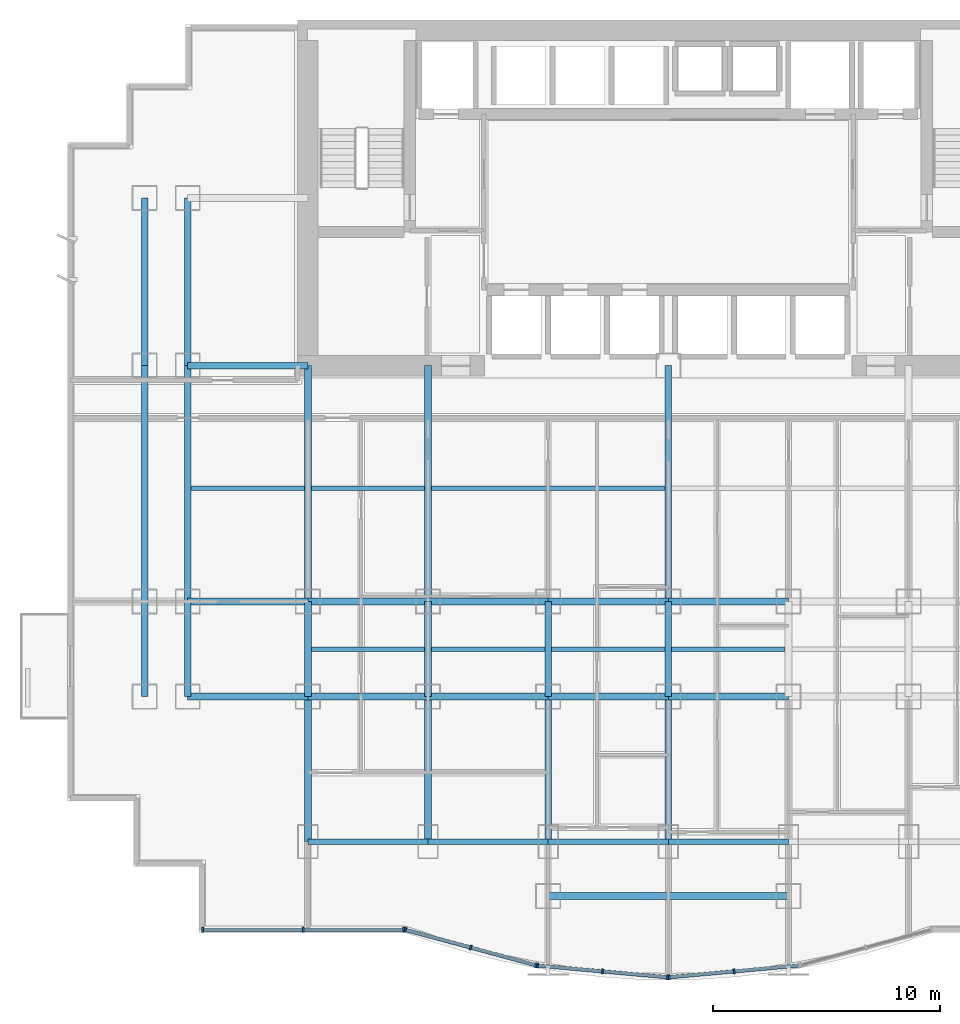
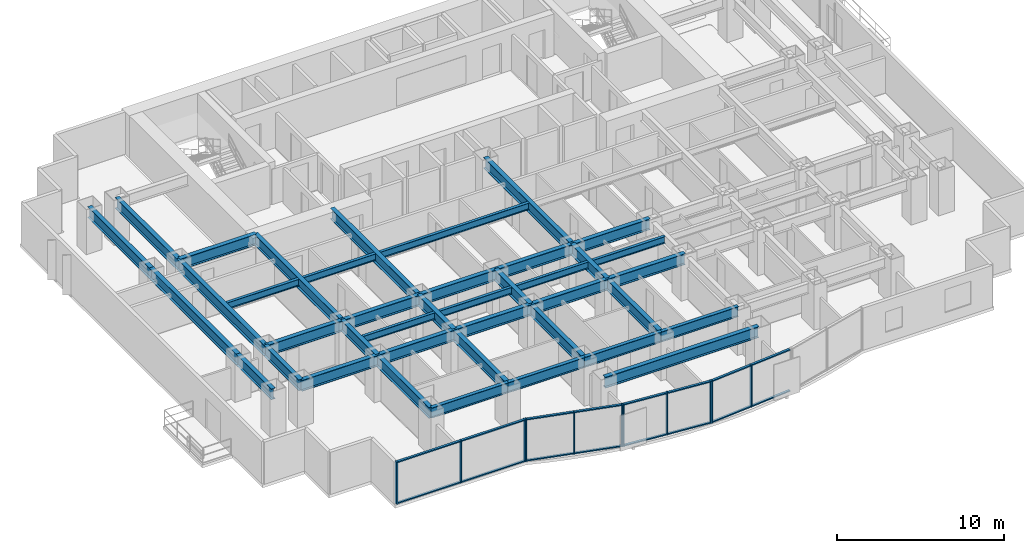
# One storey, part 2 of 10: 40 beams, 27 members, 4 elements without a shape of their own.
"""IFC4 building model written with IfcOpenShell, lengths in metres."""

from ifc_helpers import new_model, si_unit, direction, frame, origin, origin_2d, place, context, subcontext, project, spatial, rectangle, i_section, extrude, source, transform, mapped, material, layer, layer_set, material_profile, profile_set, type_object, element, aggregate, save


model = new_model("IFC4")

# Units and contexts
model_context = context("Model", 3, precision=1e-05, world=origin(), true_north=direction((0.0, 1.0)))
body_context = subcontext(model_context, "Body", "Model", "MODEL_VIEW")
ifc_project = project(units=[si_unit("LENGTHUNIT", "METRE"), si_unit("AREAUNIT", "SQUARE_METRE"), si_unit("VOLUMEUNIT", "CUBIC_METRE"), si_unit("PLANEANGLEUNIT", "RADIAN"), si_unit("MASSUNIT", "GRAM", prefix="KILO")], contexts=[model_context])

# Site, building, storey
site_placement = place(None, origin())
site = spatial("IfcSite", under=ifc_project, at=site_placement, CompositionType="ELEMENT")
building_placement = place(site_placement, origin())
building = spatial("IfcBuilding", under=site, at=building_placement, Name="Qianlan Lanfeng Residences", CompositionType="ELEMENT")
storey_placement = place(building_placement, frame((0.0, 0.0, 57.199951171875)))
storey = spatial("IfcBuildingStorey", under=building, at=storey_placement, Name="L15", CompositionType="ELEMENT", Elevation=57.199951171875)

# Beams
ifc_material_1 = material(Name="Steel SN490B", Category="steel")
ifc_material_profile_1 = material_profile(ifc_material_1, i_section(OverallWidth=0.300048828125, OverallDepth=0.800048828125, WebThickness=0.01611328125, FlangeThickness=0.028076171875, at=origin_2d()), Name="H 800x300x16x28")
ifc_profile_set_1 = profile_set([ifc_material_profile_1], Name="Steel SN490B")
beam_type_1 = type_object("IfcBeamType", Name="G-950", PredefinedType="BEAM", material=ifc_profile_set_1)
beam_1_placement = place(storey_placement, frame((21.199951171875, 1.800048828125, 2.679931640625), z_axis=(1.0, 0.0, 0.0), x_axis=(0.0, 1.0, 0.0)))
element("IfcBeam", 1, at=beam_1_placement, inside=storey, type_object=beam_type_1, Name="Structural beam G-950", PredefinedType="BEAM", context=body_context, shape_type="SweptSolid", body=[
    extrude(i_section(OverallWidth=0.300048828125, OverallDepth=0.800048828125, WebThickness=0.01611328125, FlangeThickness=0.028076171875, at=origin_2d()), origin(), (0.0, 0.0, 1.0), 10.60009765625),
])
beam_2_placement = place(storey_placement, frame((5.300048828125, 10.60009765625, 2.679931640625), z_axis=(1.0, 0.0, 0.0), x_axis=(0.0, 1.0, 0.0)))
element("IfcBeam", 2, at=beam_2_placement, inside=storey, type_object=beam_type_1, Name="Structural beam G-950", PredefinedType="BEAM", context=body_context, shape_type="SweptSolid", body=[
    extrude(i_section(OverallWidth=0.300048828125, OverallDepth=0.800048828125, WebThickness=0.01611328125, FlangeThickness=0.028076171875, at=origin_2d()), origin(), (0.0, 0.0, 1.0), 5.300048828125),
])
beam_3_placement = place(storey_placement, frame((10.60009765625, 10.60009765625, 2.679931640625), z_axis=(1.0, 0.0, 0.0), x_axis=(0.0, 1.0, 0.0)))
element("IfcBeam", 3, at=beam_3_placement, inside=storey, type_object=beam_type_1, Name="Structural beam G-950", PredefinedType="BEAM", context=body_context, shape_type="SweptSolid", body=[
    extrude(i_section(OverallWidth=0.300048828125, OverallDepth=0.800048828125, WebThickness=0.01611328125, FlangeThickness=0.028076171875, at=origin_2d()), origin(), (0.0, 0.0, 1.0), 5.2998046875),
])
for number, where, z_axis, x_axis, name in (
    (4, (15.89990234375, 10.60009765625, 2.679931640625), (1.0, 0.0, 0.0), (0.0, 1.0, 0.0), "Structural beam G-950"),
    (5, (21.199951171875, 10.60009765625, 2.679931640625), (1.0, 0.0, 0.0), (0.0, 1.0, 0.0), "Structural beam G-950"),
    (6, (26.5, 10.60009765625, 2.679931640625), (1.0, 0.0, 0.0), (0.0, 1.0, 0.0), "Structural beam G-950"),
    (7, (5.300048828125, 14.800048828125, 2.679931640625), (1.0, 0.0, 0.0), (0.0, 1.0, 0.0), "Structural beam G-950"),
):
    element("IfcBeam", number, at=place(storey_placement, frame(where, z_axis=z_axis, x_axis=x_axis)), inside=storey, type_object=beam_type_1, Name=name, PredefinedType="BEAM", context=body_context, shape_type="SweptSolid", body=[
        extrude(i_section(OverallWidth=0.300048828125, OverallDepth=0.800048828125, WebThickness=0.01611328125, FlangeThickness=0.028076171875, at=origin_2d()), origin(), (0.0, 0.0, 1.0), 5.300048828125),
    ])
beam_4_placement = place(storey_placement, frame((10.60009765625, 14.800048828125, 2.679931640625), z_axis=(1.0, 0.0, 0.0), x_axis=(0.0, 1.0, 0.0)))
element("IfcBeam", 8, at=beam_4_placement, inside=storey, type_object=beam_type_1, Name="Structural beam G-950", PredefinedType="BEAM", context=body_context, shape_type="SweptSolid", body=[
    extrude(i_section(OverallWidth=0.300048828125, OverallDepth=0.800048828125, WebThickness=0.01611328125, FlangeThickness=0.028076171875, at=origin_2d()), origin(), (0.0, 0.0, 1.0), 5.2998046875),
])
for number, where, z_axis, x_axis, name in (
    (9, (15.89990234375, 14.800048828125, 2.679931640625), (1.0, 0.0, 0.0), (0.0, 1.0, 0.0), "Structural beam G-950"),
    (10, (21.199951171875, 14.800048828125, 2.679931640625), (1.0, 0.0, 0.0), (0.0, 1.0, 0.0), "Structural beam G-950"),
    (11, (26.5, 14.800048828125, 2.679931640625), (1.0, 0.0, 0.0), (0.0, 1.0, 0.0), "Structural beam G-950"),
    (12, (5.300048828125, 25.199951171875, 2.679931640625), (1.0, 0.0, 0.0), (0.0, 1.0, 0.0), "Structural beam G-950"),
):
    element("IfcBeam", number, at=place(storey_placement, frame(where, z_axis=z_axis, x_axis=x_axis)), inside=storey, type_object=beam_type_1, Name=name, PredefinedType="BEAM", context=body_context, shape_type="SweptSolid", body=[
        extrude(i_section(OverallWidth=0.300048828125, OverallDepth=0.800048828125, WebThickness=0.01611328125, FlangeThickness=0.028076171875, at=origin_2d()), origin(), (0.0, 0.0, 1.0), 5.300048828125),
    ])
beam_5_placement = place(storey_placement, frame((3.39990234375, 10.60009765625, 2.679931640625), z_axis=(0.0, 1.0, 0.0), x_axis=(-1.0, 0.0, 0.0)))
element("IfcBeam", 13, at=beam_5_placement, inside=storey, type_object=beam_type_1, Name="Structural beam G-950", PredefinedType="BEAM", context=body_context, shape_type="SweptSolid", body=[
    extrude(i_section(OverallWidth=0.300048828125, OverallDepth=0.800048828125, WebThickness=0.01611328125, FlangeThickness=0.028076171875, at=origin_2d()), origin(), (0.0, 0.0, 1.0), 4.199951171875),
])
beam_6_placement = place(storey_placement, frame((3.39990234375, 14.800048828125, 2.679931640625), z_axis=(0.0, 1.0, 0.0), x_axis=(-1.0, 0.0, 0.0)))
element("IfcBeam", 14, at=beam_6_placement, inside=storey, type_object=beam_type_1, Name="Structural beam G-950", PredefinedType="BEAM", context=body_context, shape_type="SweptSolid", body=[
    extrude(i_section(OverallWidth=0.300048828125, OverallDepth=0.800048828125, WebThickness=0.01611328125, FlangeThickness=0.028076171875, at=origin_2d()), origin(), (0.0, 0.0, 1.0), 10.39990234375),
])
beam_7_placement = place(storey_placement, frame((3.39990234375, 25.199951171875, 2.679931640625), z_axis=(0.0, 1.0, 0.0), x_axis=(-1.0, 0.0, 0.0)))
element("IfcBeam", 15, at=beam_7_placement, inside=storey, type_object=beam_type_1, Name="Structural beam G-950", PredefinedType="BEAM", context=body_context, shape_type="SweptSolid", body=[
    extrude(i_section(OverallWidth=0.300048828125, OverallDepth=0.800048828125, WebThickness=0.01611328125, FlangeThickness=0.028076171875, at=origin_2d()), origin(), (0.0, 0.0, 1.0), 7.400146484375),
])
beam_8_placement = place(storey_placement, frame((5.300048828125, 10.60009765625, 2.679931640625), z_axis=(0.0, 1.0, 0.0), x_axis=(-1.0, 0.0, 0.0)))
element("IfcBeam", 16, at=beam_8_placement, inside=storey, type_object=beam_type_1, Name="Structural beam G-950", PredefinedType="BEAM", context=body_context, shape_type="SweptSolid", body=[
    extrude(i_section(OverallWidth=0.300048828125, OverallDepth=0.800048828125, WebThickness=0.01611328125, FlangeThickness=0.028076171875, at=origin_2d()), origin(), (0.0, 0.0, 1.0), 4.199951171875),
])
beam_9_placement = place(storey_placement, frame((5.300048828125, 14.800048828125, 2.679931640625), z_axis=(0.0, 1.0, 0.0), x_axis=(-1.0, 0.0, 0.0)))
element("IfcBeam", 17, at=beam_9_placement, inside=storey, type_object=beam_type_1, Name="Structural beam G-950", PredefinedType="BEAM", context=body_context, shape_type="SweptSolid", body=[
    extrude(i_section(OverallWidth=0.300048828125, OverallDepth=0.800048828125, WebThickness=0.01611328125, FlangeThickness=0.028076171875, at=origin_2d()), origin(), (0.0, 0.0, 1.0), 10.39990234375),
])
beam_10_placement = place(storey_placement, frame((5.300048828125, 25.199951171875, 2.679931640625), z_axis=(0.0, 1.0, 0.0), x_axis=(-1.0, 0.0, 0.0)))
element("IfcBeam", 18, at=beam_10_placement, inside=storey, type_object=beam_type_1, Name="Structural beam G-950", PredefinedType="BEAM", context=body_context, shape_type="SweptSolid", body=[
    extrude(i_section(OverallWidth=0.300048828125, OverallDepth=0.800048828125, WebThickness=0.01611328125, FlangeThickness=0.028076171875, at=origin_2d()), origin(), (0.0, 0.0, 1.0), 7.400146484375),
])
beam_11_placement = place(storey_placement, frame((10.60009765625, 4.199951171875, 2.679931640625), z_axis=(0.0, 1.0, 0.0), x_axis=(-1.0, 0.0, 0.0)))
element("IfcBeam", 19, at=beam_11_placement, inside=storey, type_object=beam_type_1, Name="Structural beam G-950", PredefinedType="BEAM", context=body_context, shape_type="SweptSolid", body=[
    extrude(i_section(OverallWidth=0.300048828125, OverallDepth=0.800048828125, WebThickness=0.01611328125, FlangeThickness=0.028076171875, at=origin_2d()), origin(), (0.0, 0.0, 1.0), 6.400146484375),
])
beam_12_placement = place(storey_placement, frame((10.60009765625, 10.60009765625, 2.679931640625), z_axis=(0.0, 1.0, 0.0), x_axis=(-1.0, 0.0, 0.0)))
element("IfcBeam", 20, at=beam_12_placement, inside=storey, type_object=beam_type_1, Name="Structural beam G-950", PredefinedType="BEAM", context=body_context, shape_type="SweptSolid", body=[
    extrude(i_section(OverallWidth=0.300048828125, OverallDepth=0.800048828125, WebThickness=0.01611328125, FlangeThickness=0.028076171875, at=origin_2d()), origin(), (0.0, 0.0, 1.0), 4.199951171875),
])
beam_13_placement = place(storey_placement, frame((10.60009765625, 14.800048828125, 2.679931640625), z_axis=(0.0, 1.0, 0.0), x_axis=(-1.0, 0.0, 0.0)))
element("IfcBeam", 21, at=beam_13_placement, inside=storey, type_object=beam_type_1, Name="Structural beam G-950", PredefinedType="BEAM", context=body_context, shape_type="SweptSolid", body=[
    extrude(i_section(OverallWidth=0.300048828125, OverallDepth=0.800048828125, WebThickness=0.01611328125, FlangeThickness=0.028076171875, at=origin_2d()), origin(), (0.0, 0.0, 1.0), 10.39990234375),
])
beam_14_placement = place(storey_placement, frame((15.89990234375, 4.199951171875, 2.679931640625), z_axis=(0.0, 1.0, 0.0), x_axis=(-1.0, 0.0, 0.0)))
element("IfcBeam", 22, at=beam_14_placement, inside=storey, type_object=beam_type_1, Name="Structural beam G-950", PredefinedType="BEAM", context=body_context, shape_type="SweptSolid", body=[
    extrude(i_section(OverallWidth=0.300048828125, OverallDepth=0.800048828125, WebThickness=0.01611328125, FlangeThickness=0.028076171875, at=origin_2d()), origin(), (0.0, 0.0, 1.0), 6.400146484375),
])
beam_15_placement = place(storey_placement, frame((15.89990234375, 10.60009765625, 2.679931640625), z_axis=(0.0, 1.0, 0.0), x_axis=(-1.0, 0.0, 0.0)))
element("IfcBeam", 23, at=beam_15_placement, inside=storey, type_object=beam_type_1, Name="Structural beam G-950", PredefinedType="BEAM", context=body_context, shape_type="SweptSolid", body=[
    extrude(i_section(OverallWidth=0.300048828125, OverallDepth=0.800048828125, WebThickness=0.01611328125, FlangeThickness=0.028076171875, at=origin_2d()), origin(), (0.0, 0.0, 1.0), 4.199951171875),
])
beam_16_placement = place(storey_placement, frame((15.89990234375, 14.800048828125, 2.679931640625), z_axis=(0.0, 1.0, 0.0), x_axis=(-1.0, 0.0, 0.0)))
element("IfcBeam", 24, at=beam_16_placement, inside=storey, type_object=beam_type_1, Name="Structural beam G-950", PredefinedType="BEAM", context=body_context, shape_type="SweptSolid", body=[
    extrude(i_section(OverallWidth=0.300048828125, OverallDepth=0.800048828125, WebThickness=0.01611328125, FlangeThickness=0.028076171875, at=origin_2d()), origin(), (0.0, 0.0, 1.0), 10.39990234375),
])
beam_17_placement = place(storey_placement, frame((21.199951171875, 4.199951171875, 2.679931640625), z_axis=(0.0, 1.0, 0.0), x_axis=(-1.0, 0.0, 0.0)))
element("IfcBeam", 25, at=beam_17_placement, inside=storey, type_object=beam_type_1, Name="Structural beam G-950", PredefinedType="BEAM", context=body_context, shape_type="SweptSolid", body=[
    extrude(i_section(OverallWidth=0.300048828125, OverallDepth=0.800048828125, WebThickness=0.01611328125, FlangeThickness=0.028076171875, at=origin_2d()), origin(), (0.0, 0.0, 1.0), 6.400146484375),
])
beam_18_placement = place(storey_placement, frame((21.199951171875, 10.60009765625, 2.679931640625), z_axis=(0.0, 1.0, 0.0), x_axis=(-1.0, 0.0, 0.0)))
element("IfcBeam", 26, at=beam_18_placement, inside=storey, type_object=beam_type_1, Name="Structural beam G-950", PredefinedType="BEAM", context=body_context, shape_type="SweptSolid", body=[
    extrude(i_section(OverallWidth=0.300048828125, OverallDepth=0.800048828125, WebThickness=0.01611328125, FlangeThickness=0.028076171875, at=origin_2d()), origin(), (0.0, 0.0, 1.0), 4.199951171875),
])
beam_19_placement = place(storey_placement, frame((26.5, 4.199951171875, 2.679931640625), z_axis=(0.0, 1.0, 0.0), x_axis=(-1.0, 0.0, 0.0)))
element("IfcBeam", 27, at=beam_19_placement, inside=storey, type_object=beam_type_1, Name="Structural beam G-950", PredefinedType="BEAM", context=body_context, shape_type="SweptSolid", body=[
    extrude(i_section(OverallWidth=0.300048828125, OverallDepth=0.800048828125, WebThickness=0.01611328125, FlangeThickness=0.028076171875, at=origin_2d()), origin(), (0.0, 0.0, 1.0), 6.400146484375),
])
beam_20_placement = place(storey_placement, frame((26.5, 10.60009765625, 2.679931640625), z_axis=(0.0, 1.0, 0.0), x_axis=(-1.0, 0.0, 0.0)))
element("IfcBeam", 28, at=beam_20_placement, inside=storey, type_object=beam_type_1, Name="Structural beam G-950", PredefinedType="BEAM", context=body_context, shape_type="SweptSolid", body=[
    extrude(i_section(OverallWidth=0.300048828125, OverallDepth=0.800048828125, WebThickness=0.01611328125, FlangeThickness=0.028076171875, at=origin_2d()), origin(), (0.0, 0.0, 1.0), 4.199951171875),
])
beam_21_placement = place(storey_placement, frame((26.5, 14.800048828125, 2.679931640625), z_axis=(0.0, 1.0, 0.0), x_axis=(-1.0, 0.0, 0.0)))
element("IfcBeam", 29, at=beam_21_placement, inside=storey, type_object=beam_type_1, Name="Structural beam G-950", PredefinedType="BEAM", context=body_context, shape_type="SweptSolid", body=[
    extrude(i_section(OverallWidth=0.300048828125, OverallDepth=0.800048828125, WebThickness=0.01611328125, FlangeThickness=0.028076171875, at=origin_2d()), origin(), (0.0, 0.0, 1.0), 10.39990234375),
])
ifc_material_profile_2 = material_profile(ifc_material_1, i_section(OverallWidth=0.199951171875, OverallDepth=0.5, WebThickness=0.010009765625, FlangeThickness=0.01611328125, at=origin_2d()), Name="H 500x200x10x16")
ifc_profile_set_2 = profile_set([ifc_material_profile_2], Name="Steel SN490B")
beam_type_2 = type_object("IfcBeamType", Name="J-500", PredefinedType="JOIST", material=ifc_profile_set_2)
for number, where, z_axis, x_axis, name in (
    (30, (10.75, 12.699951171875, 2.830078125), (1.0, 0.0, 0.0), (0.0, 1.0, 0.0), "Structural beam J-500"),
    (31, (16.050048828125, 12.699951171875, 2.830078125), (1.0, 0.0, 0.0), (0.0, 1.0, 0.0), "Structural beam J-500"),
    (32, (21.35009765625, 12.699951171875, 2.830078125), (1.0, 0.0, 0.0), (0.0, 1.0, 0.0), "Structural beam J-500"),
    (33, (26.64990234375, 12.699951171875, 2.830078125), (1.0, 0.0, 0.0), (0.0, 1.0, 0.0), "Structural beam J-500"),
    (34, (5.449951171875, 19.800048828125, 2.830078125), (1.0, 0.0, 0.0), (0.0, 1.0, 0.0), "Structural beam J-500"),
    (35, (10.75, 19.800048828125, 2.830078125), (1.0, 0.0, 0.0), (0.0, 1.0, 0.0), "Structural beam J-500"),
):
    element("IfcBeam", number, at=place(storey_placement, frame(where, z_axis=z_axis, x_axis=x_axis)), inside=storey, type_object=beam_type_2, Name=name, PredefinedType="JOIST", context=body_context, shape_type="SweptSolid", body=[
        extrude(i_section(OverallWidth=0.199951171875, OverallDepth=0.5, WebThickness=0.010009765625, FlangeThickness=0.01611328125, at=origin_2d()), origin(), (0.0, 0.0, 1.0), 5.0),
    ])
beam_22_placement = place(storey_placement, frame((16.050048828125, 19.800048828125, 2.830078125), z_axis=(1.0, 0.0, 0.0), x_axis=(0.0, 1.0, 0.0)))
element("IfcBeam", 36, at=beam_22_placement, inside=storey, type_object=beam_type_2, Name="Structural beam J-500", PredefinedType="JOIST", context=body_context, shape_type="SweptSolid", body=[
    extrude(i_section(OverallWidth=0.199951171875, OverallDepth=0.5, WebThickness=0.010009765625, FlangeThickness=0.01611328125, at=origin_2d()), origin(), (0.0, 0.0, 1.0), 10.300048828125),
])
ifc_material_profile_3 = material_profile(ifc_material_1, i_section(OverallWidth=0.25, OverallDepth=0.75, WebThickness=0.013916015625, FlangeThickness=0.02490234375, at=origin_2d()), Name="H 750x250x14x25")
ifc_profile_set_3 = profile_set([ifc_material_profile_3], Name="Steel SN490B")
beam_type_3 = type_object("IfcBeamType", Name="SG-850", PredefinedType="SPANDREL", material=ifc_profile_set_3)
beam_23_placement = place(storey_placement, frame((10.60009765625, 4.199951171875, 2.705078125), z_axis=(1.0, 0.0, 0.0), x_axis=(0.0, 1.0, 0.0)))
element("IfcBeam", 37, at=beam_23_placement, inside=storey, type_object=beam_type_3, Name="Structural beam SG-850", PredefinedType="SPANDREL", context=body_context, shape_type="SweptSolid", body=[
    extrude(i_section(OverallWidth=0.25, OverallDepth=0.75, WebThickness=0.013916015625, FlangeThickness=0.02490234375, at=origin_2d()), origin(), (0.0, 0.0, 1.0), 5.2998046875),
])
for number, where, z_axis, x_axis, name in (
    (38, (15.89990234375, 4.199951171875, 2.705078125), (1.0, 0.0, 0.0), (0.0, 1.0, 0.0), "Structural beam SG-850"),
    (39, (21.199951171875, 4.199951171875, 2.705078125), (1.0, 0.0, 0.0), (0.0, 1.0, 0.0), "Structural beam SG-850"),
    (40, (26.5, 4.199951171875, 2.705078125), (1.0, 0.0, 0.0), (0.0, 1.0, 0.0), "Structural beam SG-850"),
):
    element("IfcBeam", number, at=place(storey_placement, frame(where, z_axis=z_axis, x_axis=x_axis)), inside=storey, type_object=beam_type_3, Name=name, PredefinedType="SPANDREL", context=body_context, shape_type="SweptSolid", body=[
        extrude(i_section(OverallWidth=0.25, OverallDepth=0.75, WebThickness=0.013916015625, FlangeThickness=0.02490234375, at=origin_2d()), origin(), (0.0, 0.0, 1.0), 5.300048828125),
    ])

# Curtain wall, members
ifc_material_2 = material(Name="Anodised Bronze Aluminium 6063-T6", Category="aluminium")
ifc_layer = layer(ifc_material_2, 0.219970703125)
ifc_layer_set = layer_set([ifc_layer], Name="Anodised Bronze Aluminium 6063-T6")
curtain_wall_type = type_object("IfcCurtainWallType", Name="CW-02", PredefinedType="NOTDEFINED", material=ifc_layer_set)
curtain_wall_1_placement = place(storey_placement, origin())
curtain_wall_1 = element("IfcCurtainWall", 41, at=curtain_wall_1_placement, inside=storey, type_object=curtain_wall_type, Name="L15 Unitised Curtain Wall CWR-L15-01 (CW-02)", PredefinedType="NOTDEFINED")
ifc_material_profile_4 = material_profile(ifc_material_2, rectangle(XDim=0.080078125, YDim=0.2099609375, at=origin_2d()), Name="ALU MULLION 80x210")
ifc_profile_set_4 = profile_set([ifc_material_profile_4], Name="Anodised Bronze Aluminium 6063-T6")
member_type_1 = type_object("IfcMemberType", Name="CWM-220", PredefinedType="MULLION", material=ifc_profile_set_4)
shared_shape_1 = source(origin(), body_context, "Body", "SweptSolid", [
    extrude(rectangle(XDim=0.080078125, YDim=0.2099609375, at=origin_2d()), origin(), (0.0, 0.0, 1.0), 3.080078125),
])
member_1_placement = place(storey_placement, frame((5.9599609375, 0.320068359375, 0.0), z_axis=(0.0, 0.0, 1.0), x_axis=(1.0, 0.0, 0.0)))
member_1 = element("IfcMember", 42, at=member_1_placement, type_object=member_type_1, Name="CWR-L15-01 Mullion 1", PredefinedType="MULLION", context=body_context, shape_type="MappedRepresentation", body=[
    mapped(shared_shape_1, transform((0.0, 0.0, 0.0), scale=1.0)),
])
member_2_placement = place(storey_placement, frame((10.39501953125, 0.320068359375, 0.0), z_axis=(0.0, 0.0, 1.0), x_axis=(1.0, 0.0, 0.0)))
member_2 = element("IfcMember", 43, at=member_2_placement, type_object=member_type_1, Name="CWR-L15-01 Mullion 2", PredefinedType="MULLION", context=body_context, shape_type="MappedRepresentation", body=[
    mapped(shared_shape_1, transform((0.0, 0.0, 0.0), scale=1.0)),
])
member_3_placement = place(storey_placement, frame((14.830078125, 0.320068359375, 0.0), z_axis=(0.0, 0.0, 1.0), x_axis=(1.0, 0.0, 0.0)))
member_3 = element("IfcMember", 44, at=member_3_placement, type_object=member_type_1, Name="CWR-L15-01 Mullion 3", PredefinedType="MULLION", context=body_context, shape_type="MappedRepresentation", body=[
    mapped(shared_shape_1, transform((0.0, 0.0, 0.0), scale=1.0)),
])

curtain_wall_2_placement = place(storey_placement, origin())
curtain_wall_2 = element("IfcCurtainWall", 45, at=curtain_wall_2_placement, inside=storey, type_object=curtain_wall_type, Name="L15 Unitised Curtain Wall CWR-L15-02 (CW-02)", PredefinedType="NOTDEFINED")
member_4_placement = place(storey_placement, frame((14.90869140625, 0.3095703125, 0.0), z_axis=(0.0, 0.0, 1.0), x_axis=(0.9652627173, -0.261281240412, 0.0)))
member_4 = element("IfcMember", 46, at=member_4_placement, type_object=member_type_1, Name="CWR-L15-02 Mullion 1", PredefinedType="MULLION", context=body_context, shape_type="MappedRepresentation", body=[
    mapped(shared_shape_1, transform((0.0, 0.0, 0.0), scale=1.0)),
])
member_5_placement = place(storey_placement, frame((17.782958984375, -0.468505859375, 0.0), z_axis=(0.0, 0.0, 1.0), x_axis=(0.9652627173, -0.261281240412, 0.0)))
member_5 = element("IfcMember", 47, at=member_5_placement, type_object=member_type_1, Name="CWR-L15-02 Mullion 2", PredefinedType="MULLION", context=body_context, shape_type="MappedRepresentation", body=[
    mapped(shared_shape_1, transform((0.0, 0.0, 0.0), scale=1.0)),
])
member_6_placement = place(storey_placement, frame((20.657470703125, -1.24658203125, 0.0), z_axis=(0.0, 0.0, 1.0), x_axis=(0.9652627173, -0.261281240412, 0.0)))
member_6 = element("IfcMember", 48, at=member_6_placement, type_object=member_type_1, Name="CWR-L15-02 Mullion 3", PredefinedType="MULLION", context=body_context, shape_type="MappedRepresentation", body=[
    mapped(shared_shape_1, transform((0.0, 0.0, 0.0), scale=1.0)),
])

curtain_wall_3_placement = place(storey_placement, origin())
curtain_wall_3 = element("IfcCurtainWall", 49, at=curtain_wall_3_placement, inside=storey, type_object=curtain_wall_type, Name="L15 Unitised Curtain Wall CWR-L15-03 (CW-02)", PredefinedType="NOTDEFINED")
member_7_placement = place(storey_placement, frame((20.73583984375, -1.260498046875, 0.0), z_axis=(0.0, 0.0, 1.0), x_axis=(0.995964677764, -0.089746089862, 0.0)))
member_7 = element("IfcMember", 50, at=member_7_placement, type_object=member_type_1, Name="CWR-L15-03 Mullion 1", PredefinedType="MULLION", context=body_context, shape_type="MappedRepresentation", body=[
    mapped(shared_shape_1, transform((0.0, 0.0, 0.0), scale=1.0)),
])
member_8_placement = place(storey_placement, frame((23.597900390625, -1.5185546875, 0.0), z_axis=(0.0, 0.0, 1.0), x_axis=(0.995964677764, -0.089746089862, 0.0)))
member_8 = element("IfcMember", 51, at=member_8_placement, type_object=member_type_1, Name="CWR-L15-03 Mullion 2", PredefinedType="MULLION", context=body_context, shape_type="MappedRepresentation", body=[
    mapped(shared_shape_1, transform((0.0, 0.0, 0.0), scale=1.0)),
])
member_9_placement = place(storey_placement, frame((26.460205078125, -1.7763671875, 0.0), z_axis=(0.0, 0.0, 1.0), x_axis=(0.995964677764, -0.089746089862, 0.0)))
member_9 = element("IfcMember", 52, at=member_9_placement, type_object=member_type_1, Name="CWR-L15-03 Mullion 3", PredefinedType="MULLION", context=body_context, shape_type="MappedRepresentation", body=[
    mapped(shared_shape_1, transform((0.0, 0.0, 0.0), scale=1.0)),
])

curtain_wall_4_placement = place(storey_placement, origin())
curtain_wall_4 = element("IfcCurtainWall", 53, at=curtain_wall_4_placement, inside=storey, type_object=curtain_wall_type, Name="L15 Unitised Curtain Wall CWR-L15-04 (CW-02)", PredefinedType="NOTDEFINED")
member_10_placement = place(storey_placement, frame((26.539794921875, -1.7763671875, 0.0), z_axis=(0.0, 0.0, 1.0), x_axis=(0.995964677764, 0.089746089862, 0.0)))
member_10 = element("IfcMember", 54, at=member_10_placement, type_object=member_type_1, Name="CWR-L15-04 Mullion 1", PredefinedType="MULLION", context=body_context, shape_type="MappedRepresentation", body=[
    mapped(shared_shape_1, transform((0.0, 0.0, 0.0), scale=1.0)),
])
member_11_placement = place(storey_placement, frame((29.402099609375, -1.5185546875, 0.0), z_axis=(0.0, 0.0, 1.0), x_axis=(0.995964677764, 0.089746089862, 0.0)))
member_11 = element("IfcMember", 55, at=member_11_placement, type_object=member_type_1, Name="CWR-L15-04 Mullion 2", PredefinedType="MULLION", context=body_context, shape_type="MappedRepresentation", body=[
    mapped(shared_shape_1, transform((0.0, 0.0, 0.0), scale=1.0)),
])

# Member
ifc_material_profile_5 = material_profile(ifc_material_2, rectangle(XDim=0.080078125, YDim=0.159912109375, at=origin_2d()), Name="ALU TRANSOM 80x160")
ifc_profile_set_5 = profile_set([ifc_material_profile_5], Name="Anodised Bronze Aluminium 6063-T6")
member_type_2 = type_object("IfcMemberType", Name="CWT-180", PredefinedType="USERDEFINED", material=ifc_profile_set_5)
shared_shape_2 = source(origin(), body_context, "Body", "SweptSolid", [
    extrude(rectangle(XDim=0.080078125, YDim=0.159912109375, at=origin_2d()), origin(), (0.0, 0.0, 1.0), 2.897705078125),
])
member_12_placement = place(storey_placement, frame((14.947265625, 0.299072265625, 0.0400390625), z_axis=(0.965267548724, -0.261263390817, 0.0), x_axis=(0.0, 0.0, 1.0)))
member_12 = element("IfcMember", 56, at=member_12_placement, type_object=member_type_2, Name="CWR-L15-02 Transom 1-BOT", ObjectType="TRANSOM", PredefinedType="USERDEFINED", context=body_context, shape_type="MappedRepresentation", body=[
    mapped(shared_shape_2, transform((0.0, 0.0, 0.0), scale=1.0)),
])

member_13_placement = place(storey_placement, frame((14.947265625, 0.299072265625, 3.0400390625), z_axis=(0.965267548724, -0.261263390817, 0.0), x_axis=(0.0, 0.0, 1.0)))
member_13 = element("IfcMember", 57, at=member_13_placement, type_object=member_type_2, Name="CWR-L15-02 Transom 1-TOP", ObjectType="TRANSOM", PredefinedType="USERDEFINED", context=body_context, shape_type="MappedRepresentation", body=[
    mapped(shared_shape_2, transform((0.0, 0.0, 0.0), scale=1.0)),
])

shared_shape_3 = source(origin(), body_context, "Body", "SweptSolid", [
    extrude(rectangle(XDim=0.080078125, YDim=0.159912109375, at=origin_2d()), origin(), (0.0, 0.0, 1.0), 2.89794921875),
])
member_14_placement = place(storey_placement, frame((17.821533203125, -0.47900390625, 0.0400390625), z_axis=(0.965273298897, -0.261242145215, 0.0), x_axis=(0.0, 0.0, 1.0)))
member_14 = element("IfcMember", 58, at=member_14_placement, type_object=member_type_2, Name="CWR-L15-02 Transom 2-BOT", ObjectType="TRANSOM", PredefinedType="USERDEFINED", context=body_context, shape_type="MappedRepresentation", body=[
    mapped(shared_shape_3, transform((0.0, 0.0, 0.0), scale=1.0)),
])

member_15_placement = place(storey_placement, frame((17.821533203125, -0.47900390625, 3.0400390625), z_axis=(0.965273298897, -0.261242145215, 0.0), x_axis=(0.0, 0.0, 1.0)))
member_15 = element("IfcMember", 59, at=member_15_placement, type_object=member_type_2, Name="CWR-L15-02 Transom 2-TOP", ObjectType="TRANSOM", PredefinedType="USERDEFINED", context=body_context, shape_type="MappedRepresentation", body=[
    mapped(shared_shape_3, transform((0.0, 0.0, 0.0), scale=1.0)),
])

aggregate(curtain_wall_2, [member_4, member_5, member_6, member_12, member_13, member_14, member_15])

shared_shape_4 = source(origin(), body_context, "Body", "SweptSolid", [
    extrude(rectangle(XDim=0.080078125, YDim=0.159912109375, at=origin_2d()), origin(), (0.0, 0.0, 1.0), 2.793701171875),
])
member_16_placement = place(storey_placement, frame((20.775634765625, -1.26416015625, 0.0400390625), z_axis=(0.995964524532, -0.089747790357, 0.0), x_axis=(0.0, 0.0, 1.0)))
member_16 = element("IfcMember", 60, at=member_16_placement, type_object=member_type_2, Name="CWR-L15-03 Transom 1-BOT", ObjectType="TRANSOM", PredefinedType="USERDEFINED", context=body_context, shape_type="MappedRepresentation", body=[
    mapped(shared_shape_4, transform((0.0, 0.0, 0.0), scale=1.0)),
])

member_17_placement = place(storey_placement, frame((20.775634765625, -1.26416015625, 3.0400390625), z_axis=(0.995964524532, -0.089747790357, 0.0), x_axis=(0.0, 0.0, 1.0)))
member_17 = element("IfcMember", 61, at=member_17_placement, type_object=member_type_2, Name="CWR-L15-03 Transom 1-TOP", ObjectType="TRANSOM", PredefinedType="USERDEFINED", context=body_context, shape_type="MappedRepresentation", body=[
    mapped(shared_shape_4, transform((0.0, 0.0, 0.0), scale=1.0)),
])

member_18_placement = place(storey_placement, frame((23.637939453125, -1.522216796875, 0.0400390625), z_axis=(0.995972332078, -0.089661104915, 0.0), x_axis=(0.0, 0.0, 1.0)))
member_18 = element("IfcMember", 62, at=member_18_placement, type_object=member_type_2, Name="CWR-L15-03 Transom 2-BOT", ObjectType="TRANSOM", PredefinedType="USERDEFINED", context=body_context, shape_type="MappedRepresentation", body=[
    mapped(shared_shape_4, transform((0.0, 0.0, 0.0), scale=1.0)),
])

member_19_placement = place(storey_placement, frame((23.637939453125, -1.522216796875, 3.0400390625), z_axis=(0.995972332078, -0.089661104915, 0.0), x_axis=(0.0, 0.0, 1.0)))
member_19 = element("IfcMember", 63, at=member_19_placement, type_object=member_type_2, Name="CWR-L15-03 Transom 2-TOP", ObjectType="TRANSOM", PredefinedType="USERDEFINED", context=body_context, shape_type="MappedRepresentation", body=[
    mapped(shared_shape_4, transform((0.0, 0.0, 0.0), scale=1.0)),
])

aggregate(curtain_wall_3, [member_7, member_8, member_9, member_16, member_17, member_18, member_19])

member_20_placement = place(storey_placement, frame((29.44189453125, -1.514892578125, 0.0400390625), z_axis=(0.995964524532, 0.089747790357, 0.0), x_axis=(0.0, 0.0, 1.0)))
member_20 = element("IfcMember", 64, at=member_20_placement, type_object=member_type_2, Name="CWR-L15-04 Transom 2-BOT", ObjectType="TRANSOM", PredefinedType="USERDEFINED", context=body_context, shape_type="MappedRepresentation", body=[
    mapped(shared_shape_4, transform((0.0, 0.0, 0.0), scale=1.0)),
])

member_21_placement = place(storey_placement, frame((29.44189453125, -1.514892578125, 3.0400390625), z_axis=(0.995964524532, 0.089747790357, 0.0), x_axis=(0.0, 0.0, 1.0)))
member_21 = element("IfcMember", 65, at=member_21_placement, type_object=member_type_2, Name="CWR-L15-04 Transom 2-TOP", ObjectType="TRANSOM", PredefinedType="USERDEFINED", context=body_context, shape_type="MappedRepresentation", body=[
    mapped(shared_shape_4, transform((0.0, 0.0, 0.0), scale=1.0)),
])

shared_shape_5 = source(origin(), body_context, "Body", "SweptSolid", [
    extrude(rectangle(XDim=0.080078125, YDim=0.159912109375, at=origin_2d()), origin(), (0.0, 0.0, 1.0), 2.7939453125),
])
member_22_placement = place(storey_placement, frame((26.57958984375, -1.772705078125, 0.0400390625), z_axis=(0.995973034517, 0.089653301756, 0.0), x_axis=(0.0, 0.0, 1.0)))
member_22 = element("IfcMember", 66, at=member_22_placement, type_object=member_type_2, Name="CWR-L15-04 Transom 1-BOT", ObjectType="TRANSOM", PredefinedType="USERDEFINED", context=body_context, shape_type="MappedRepresentation", body=[
    mapped(shared_shape_5, transform((0.0, 0.0, 0.0), scale=1.0)),
])

member_23_placement = place(storey_placement, frame((26.57958984375, -1.772705078125, 3.0400390625), z_axis=(0.995973034517, 0.089653301756, 0.0), x_axis=(0.0, 0.0, 1.0)))
member_23 = element("IfcMember", 67, at=member_23_placement, type_object=member_type_2, Name="CWR-L15-04 Transom 1-TOP", ObjectType="TRANSOM", PredefinedType="USERDEFINED", context=body_context, shape_type="MappedRepresentation", body=[
    mapped(shared_shape_5, transform((0.0, 0.0, 0.0), scale=1.0)),
])

aggregate(curtain_wall_4, [member_10, member_11, member_22, member_23, member_20, member_21])

shared_shape_6 = source(origin(), body_context, "Body", "SweptSolid", [
    extrude(rectangle(XDim=0.080078125, YDim=0.159912109375, at=origin_2d()), origin(), (0.0, 0.0, 1.0), 4.35498046875),
])
member_24_placement = place(storey_placement, frame((6.0, 0.320068359375, 0.0400390625), z_axis=(1.0, 0.0, 0.0), x_axis=(0.0, 0.0, 1.0)))
member_24 = element("IfcMember", 68, at=member_24_placement, type_object=member_type_2, Name="CWR-L15-01 Transom 1-BOT", ObjectType="TRANSOM", PredefinedType="USERDEFINED", context=body_context, shape_type="MappedRepresentation", body=[
    mapped(shared_shape_6, transform((0.0, 0.0, 0.0), scale=1.0)),
])

member_25_placement = place(storey_placement, frame((6.0, 0.320068359375, 3.0400390625), z_axis=(1.0, 0.0, 0.0), x_axis=(0.0, 0.0, 1.0)))
member_25 = element("IfcMember", 69, at=member_25_placement, type_object=member_type_2, Name="CWR-L15-01 Transom 1-TOP", ObjectType="TRANSOM", PredefinedType="USERDEFINED", context=body_context, shape_type="MappedRepresentation", body=[
    mapped(shared_shape_6, transform((0.0, 0.0, 0.0), scale=1.0)),
])

member_26_placement = place(storey_placement, frame((10.43505859375, 0.320068359375, 0.0400390625), z_axis=(1.0, 0.0, 0.0), x_axis=(0.0, 0.0, 1.0)))
member_26 = element("IfcMember", 70, at=member_26_placement, type_object=member_type_2, Name="CWR-L15-01 Transom 2-BOT", ObjectType="TRANSOM", PredefinedType="USERDEFINED", context=body_context, shape_type="MappedRepresentation", body=[
    mapped(shared_shape_6, transform((0.0, 0.0, 0.0), scale=1.0)),
])

member_27_placement = place(storey_placement, frame((10.43505859375, 0.320068359375, 3.0400390625), z_axis=(1.0, 0.0, 0.0), x_axis=(0.0, 0.0, 1.0)))
member_27 = element("IfcMember", 71, at=member_27_placement, type_object=member_type_2, Name="CWR-L15-01 Transom 2-TOP", ObjectType="TRANSOM", PredefinedType="USERDEFINED", context=body_context, shape_type="MappedRepresentation", body=[
    mapped(shared_shape_6, transform((0.0, 0.0, 0.0), scale=1.0)),
])

aggregate(curtain_wall_1, [member_1, member_2, member_3, member_24, member_25, member_26, member_27])

save(model, "model.ifc")
